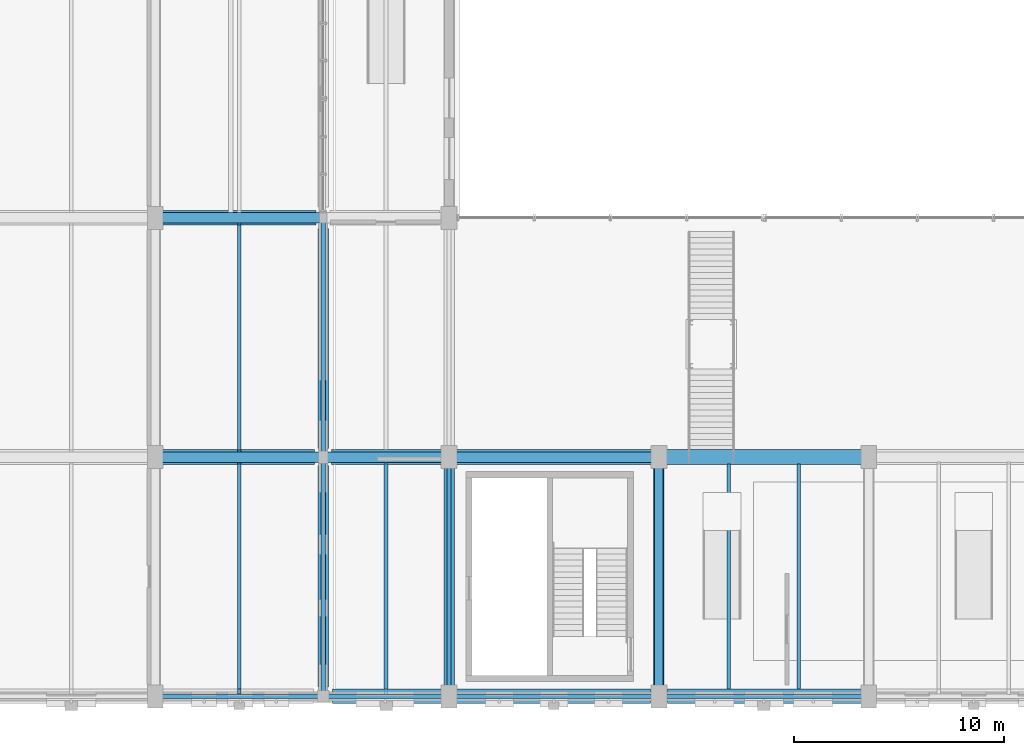
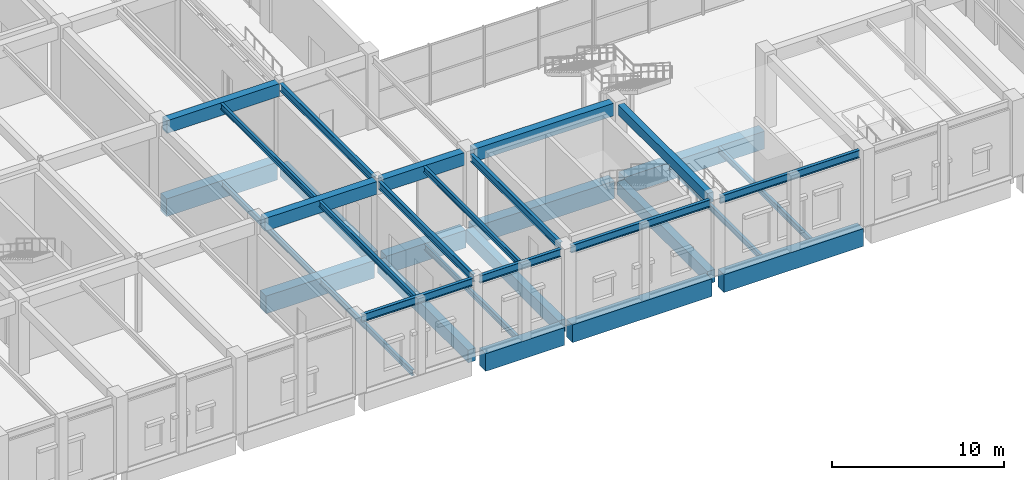
# One storey, part 24 of 113: 32 beams.
"""IFC4 building model written with IfcOpenShell, lengths in metres."""

from ifc_helpers import new_model, si_unit, direction, frame, origin, origin_2d, place, context, subcontext, project, spatial, rectangle, i_section, extrude, material, material_profile, profile_set, type_object, element, save


model = new_model("IFC4")

# Units and contexts
model_context = context("Model", 3, precision=1e-05, world=origin(), true_north=direction((0.0, 1.0)))
body_context = subcontext(model_context, "Body", "Model", "MODEL_VIEW")
ifc_project = project(units=[si_unit("LENGTHUNIT", "METRE"), si_unit("AREAUNIT", "SQUARE_METRE"), si_unit("VOLUMEUNIT", "CUBIC_METRE"), si_unit("PLANEANGLEUNIT", "RADIAN"), si_unit("MASSUNIT", "GRAM", prefix="KILO"), si_unit("POWERUNIT", "WATT"), si_unit("THERMODYNAMICTEMPERATUREUNIT", "KELVIN")], contexts=[model_context])

# Site, building, storey
site_placement = place(None, origin())
site = spatial("IfcSite", under=ifc_project, at=site_placement, CompositionType="ELEMENT")
building_placement = place(site_placement, origin())
building = spatial("IfcBuilding", under=site, at=building_placement, Name="Kelmbourne Parkland Aquatics Centre", CompositionType="ELEMENT")
storey_placement = place(building_placement, origin())
storey = spatial("IfcBuildingStorey", under=building, at=storey_placement, Name="L00", CompositionType="ELEMENT", Elevation=0.0)

# Beams
ifc_material_1 = material(Name="Concrete C40/50", Category="concrete")
ifc_material_profile_1 = material_profile(ifc_material_1, rectangle(XDim=0.5, YDim=0.89990234375, at=origin_2d()), Name="RC 500x900")
ifc_profile_set_1 = profile_set([ifc_material_profile_1], Name="Concrete C40/50")
beam_type_1 = type_object("IfcBeamType", Name="BM-G03", PredefinedType="BEAM", material=ifc_profile_set_1)
beam_1_placement = place(storey_placement, frame((40.0, 1.2548828125, -0.72998046875), z_axis=(0.0, 1.0, 0.0), x_axis=(-1.0, 0.0, 0.0)))
element("IfcBeam", 1, at=beam_1_placement, inside=storey, type_object=beam_type_1, Name="Primary girder 01-03 Grid F (L00)", PredefinedType="BEAM", context=body_context, shape_type="SweptSolid", body=[
    extrude(rectangle(XDim=0.5, YDim=0.89990234375, at=origin_2d()), origin(), (0.0, 0.0, 1.0), 10.5400390625),
])
beam_2_placement = place(storey_placement, frame((40.0, 12.60498046875, -0.72998046875), z_axis=(0.0, 1.0, 0.0), x_axis=(-1.0, 0.0, 0.0)))
element("IfcBeam", 2, at=beam_2_placement, inside=storey, type_object=beam_type_1, Name="Primary girder 03-04 Grid F (L00)", PredefinedType="BEAM", context=body_context, shape_type="SweptSolid", body=[
    extrude(rectangle(XDim=0.5, YDim=0.89990234375, at=origin_2d()), origin(), (0.0, 0.0, 1.0), 10.489990234375),
])
beam_3_placement = place(storey_placement, frame((46.0, 1.205078125, -0.72998046875), z_axis=(0.0, 1.0, 0.0), x_axis=(-1.0, 0.0, 0.0)))
element("IfcBeam", 3, at=beam_3_placement, inside=storey, type_object=beam_type_1, Name="Primary girder 01-03 Grid G (L00)", PredefinedType="BEAM", context=body_context, shape_type="SweptSolid", body=[
    extrude(rectangle(XDim=0.5, YDim=0.89990234375, at=origin_2d()), origin(), (0.0, 0.0, 1.0), 10.71484375),
])
beam_4_placement = place(storey_placement, frame((56.0, 1.205078125, -0.72998046875), z_axis=(0.0, 1.0, 0.0), x_axis=(-1.0, 0.0, 0.0)))
element("IfcBeam", 4, at=beam_4_placement, inside=storey, type_object=beam_type_1, Name="Primary girder 01-03 Grid H (L00)", PredefinedType="BEAM", context=body_context, shape_type="SweptSolid", body=[
    extrude(rectangle(XDim=0.5, YDim=0.89990234375, at=origin_2d()), origin(), (0.0, 0.0, 1.0), 10.489990234375),
])
beam_5_placement = place(storey_placement, frame((32.330078125, 12.199951171875, 4.7099609375), z_axis=(1.0, 0.0, 0.0), x_axis=(0.0, 1.0, 0.0)))
element("IfcBeam", 5, at=beam_5_placement, inside=storey, type_object=beam_type_1, Name="Primary girder E-F Grid 03 (L01)", PredefinedType="BEAM", context=body_context, shape_type="SweptSolid", body=[
    extrude(rectangle(XDim=0.5, YDim=0.89990234375, at=origin_2d()), origin(), (0.0, 0.0, 1.0), 7.489990234375),
])
beam_6_placement = place(storey_placement, frame((40.179931640625, 12.199951171875, 4.7099609375), z_axis=(1.0, 0.0, 0.0), x_axis=(0.0, 1.0, 0.0)))
element("IfcBeam", 6, at=beam_6_placement, inside=storey, type_object=beam_type_1, Name="Primary girder F-G Grid 03 (L01)", PredefinedType="BEAM", context=body_context, shape_type="SweptSolid", body=[
    extrude(rectangle(XDim=0.5, YDim=0.89990234375, at=origin_2d()), origin(), (0.0, 0.0, 1.0), 5.489990234375),
])
beam_7_placement = place(storey_placement, frame((46.330078125, 12.199951171875, 4.7099609375), z_axis=(1.0, 0.0, 0.0), x_axis=(0.0, 1.0, 0.0)))
element("IfcBeam", 7, at=beam_7_placement, inside=storey, type_object=beam_type_1, Name="Primary girder G-H Grid 03 (L01)", PredefinedType="BEAM", context=body_context, shape_type="SweptSolid", body=[
    extrude(rectangle(XDim=0.5, YDim=0.89990234375, at=origin_2d()), origin(), (0.0, 0.0, 1.0), 9.33984375),
])
beam_8_placement = place(storey_placement, frame((32.330078125, 23.60009765625, 4.7099609375), z_axis=(1.0, 0.0, 0.0), x_axis=(0.0, 1.0, 0.0)))
element("IfcBeam", 8, at=beam_8_placement, inside=storey, type_object=beam_type_1, Name="Primary girder E-F Grid 04 (L01)", PredefinedType="BEAM", context=body_context, shape_type="SweptSolid", body=[
    extrude(rectangle(XDim=0.5, YDim=0.89990234375, at=origin_2d()), origin(), (0.0, 0.0, 1.0), 7.5400390625),
])
ifc_material_profile_2 = material_profile(ifc_material_1, rectangle(XDim=0.39990234375, YDim=0.699951171875, at=origin_2d()), Name="RC 400x700")
ifc_profile_set_2 = profile_set([ifc_material_profile_2], Name="Concrete C40/50")
beam_type_2 = type_object("IfcBeamType", Name="BM-G05", PredefinedType="BEAM", material=ifc_profile_set_2)
beam_9_placement = place(storey_placement, frame((56.0, 1.304931640625, 4.81005859375), z_axis=(0.0, 1.0, 0.0), x_axis=(-1.0, 0.0, 0.0)))
element("IfcBeam", 9, at=beam_9_placement, inside=storey, type_object=beam_type_2, Name="Primary girder 01-03 Grid H (L01)", PredefinedType="BEAM", context=body_context, shape_type="SweptSolid", body=[
    extrude(rectangle(XDim=0.39990234375, YDim=0.699951171875, at=origin_2d()), origin(), (0.0, 0.0, 1.0), 10.39013671875),
])
ifc_material_2 = material(Name="Concrete C50/60", Category="concrete")
ifc_material_profile_3 = material_profile(ifc_material_2, rectangle(XDim=0.699951171875, YDim=1.25, at=origin_2d()), Name="RC 700x1250")
ifc_profile_set_3 = profile_set([ifc_material_profile_3], Name="Concrete C50/60")
beam_type_3 = type_object("IfcBeamType", Name="BM-G08", PredefinedType="BEAM", material=ifc_profile_set_3)
beam_10_placement = place(storey_placement, frame((40.455078125, 0.800048828125, -0.905029296875), z_axis=(1.0, 0.0, 0.0), x_axis=(0.0, 1.0, 0.0)))
element("IfcBeam", 10, at=beam_10_placement, inside=storey, type_object=beam_type_3, Name="Primary girder F-G Grid 01 (L00)", PredefinedType="BEAM", context=body_context, shape_type="SweptSolid", body=[
    extrude(rectangle(XDim=0.699951171875, YDim=1.25, at=origin_2d()), origin(), (0.0, 0.0, 1.0), 5.2900390625),
])
for number, where, z_axis, x_axis, name in (
    (11, (46.2548828125, 0.800048828125, -0.905029296875), (1.0, 0.0, 0.0), (0.0, 1.0, 0.0), "Primary girder G-H Grid 01 (L00)"),
    (12, (56.405029296875, 0.800048828125, -0.905029296875), (1.0, 0.0, 0.0), (0.0, 1.0, 0.0), "Primary girder H-I Grid 01 (L00)"),
):
    element("IfcBeam", number, at=place(storey_placement, frame(where, z_axis=z_axis, x_axis=x_axis)), inside=storey, type_object=beam_type_3, Name=name, PredefinedType="BEAM", context=body_context, shape_type="SweptSolid", body=[
        extrude(rectangle(XDim=0.699951171875, YDim=1.25, at=origin_2d()), origin(), (0.0, 0.0, 1.0), 9.340087890625),
    ])
beam_11_placement = place(storey_placement, frame((32.330078125, 12.199951171875, -0.905029296875), z_axis=(1.0, 0.0, 0.0), x_axis=(0.0, 1.0, 0.0)))
element("IfcBeam", 13, at=beam_11_placement, inside=storey, type_object=beam_type_3, Name="Primary girder E-F Grid 03 (L00)", PredefinedType="BEAM", context=body_context, shape_type="SweptSolid", body=[
    extrude(rectangle(XDim=0.699951171875, YDim=1.25, at=origin_2d()), origin(), (0.0, 0.0, 1.0), 7.264892578125),
])
beam_12_placement = place(storey_placement, frame((40.405029296875, 12.199951171875, -0.905029296875), z_axis=(1.0, 0.0, 0.0), x_axis=(0.0, 1.0, 0.0)))
element("IfcBeam", 14, at=beam_12_placement, inside=storey, type_object=beam_type_3, Name="Primary girder F-G Grid 03 (L00)", PredefinedType="BEAM", context=body_context, shape_type="SweptSolid", body=[
    extrude(rectangle(XDim=0.699951171875, YDim=1.25, at=origin_2d()), origin(), (0.0, 0.0, 1.0), 5.31494140625),
])
for number, where, z_axis, x_axis, name in (
    (15, (46.280029296875, 12.199951171875, -0.905029296875), (1.0, 0.0, 0.0), (0.0, 1.0, 0.0), "Primary girder G-H Grid 03 (L00)"),
    (16, (56.330078125, 12.199951171875, -0.905029296875), (1.0, 0.0, 0.0), (0.0, 1.0, 0.0), "Primary girder H-I Grid 03 (L00)"),
):
    element("IfcBeam", number, at=place(storey_placement, frame(where, z_axis=z_axis, x_axis=x_axis)), inside=storey, type_object=beam_type_3, Name=name, PredefinedType="BEAM", context=body_context, shape_type="SweptSolid", body=[
        extrude(rectangle(XDim=0.699951171875, YDim=1.25, at=origin_2d()), origin(), (0.0, 0.0, 1.0), 9.389892578125),
    ])
beam_13_placement = place(storey_placement, frame((32.2548828125, 23.60009765625, -0.905029296875), z_axis=(1.0, 0.0, 0.0), x_axis=(0.0, 1.0, 0.0)))
element("IfcBeam", 17, at=beam_13_placement, inside=storey, type_object=beam_type_3, Name="Primary girder E-F Grid 04 (L00)", PredefinedType="BEAM", context=body_context, shape_type="SweptSolid", body=[
    extrude(rectangle(XDim=0.699951171875, YDim=1.25, at=origin_2d()), origin(), (0.0, 0.0, 1.0), 7.4150390625),
])
ifc_material_3 = material(Name="Structural steel AS/NZS 3679.1 Grade 300", Category="steel")
ifc_material_profile_4 = material_profile(ifc_material_3, i_section(OverallWidth=0.177978515625, OverallDepth=0.406005859375, WebThickness=0.0078125, FlangeThickness=0.0126953125, at=origin_2d()), Name="410UB59.7")
ifc_profile_set_4 = profile_set([ifc_material_profile_4], Name="Structural steel AS/NZS 3679.1 Grade 300")
beam_type_4 = type_object("IfcBeamType", Name="BM-J01", PredefinedType="JOIST", material=ifc_profile_set_4)
beam_14_placement = place(storey_placement, frame((36.0, 1.14208984375, -0.48291015625), z_axis=(0.0, 1.0, 0.0), x_axis=(-1.0, 0.0, 0.0)))
element("IfcBeam", 18, at=beam_14_placement, inside=storey, type_object=beam_type_4, Name="Secondary floor joist E-F/01-03 #1 (L00)", PredefinedType="JOIST", context=body_context, shape_type="SweptSolid", body=[
    extrude(i_section(OverallWidth=0.177978515625, OverallDepth=0.406005859375, WebThickness=0.0078125, FlangeThickness=0.0126953125, at=origin_2d()), origin(), (0.0, 0.0, 1.0), 10.7158203125),
])
beam_15_placement = place(storey_placement, frame((36.0, 12.5419921875, -0.48291015625), z_axis=(0.0, 1.0, 0.0), x_axis=(-1.0, 0.0, 0.0)))
element("IfcBeam", 19, at=beam_15_placement, inside=storey, type_object=beam_type_4, Name="Secondary floor joist E-F/03-04 #1 (L00)", PredefinedType="JOIST", context=body_context, shape_type="SweptSolid", body=[
    extrude(i_section(OverallWidth=0.177978515625, OverallDepth=0.406005859375, WebThickness=0.0078125, FlangeThickness=0.0126953125, at=origin_2d()), origin(), (0.0, 0.0, 1.0), 10.716064453125),
])
for number, where, z_axis, x_axis, name in (
    (20, (43.0, 1.14208984375, -0.48291015625), (0.0, 1.0, 0.0), (-1.0, 0.0, 0.0), "Secondary floor joist F-G/01-03 #1 (L00)"),
    (21, (59.333251953125, 1.14208984375, -0.48291015625), (0.0, 1.0, 0.0), (-1.0, 0.0, 0.0), "Secondary floor joist H-I/01-03 #1 (L00)"),
    (22, (62.666748046875, 1.14208984375, -0.48291015625), (0.0, 1.0, 0.0), (-1.0, 0.0, 0.0), "Secondary floor joist H-I/01-03 #2 (L00)"),
):
    element("IfcBeam", number, at=place(storey_placement, frame(where, z_axis=z_axis, x_axis=x_axis)), inside=storey, type_object=beam_type_4, Name=name, PredefinedType="JOIST", context=body_context, shape_type="SweptSolid", body=[
        extrude(i_section(OverallWidth=0.177978515625, OverallDepth=0.406005859375, WebThickness=0.0078125, FlangeThickness=0.0126953125, at=origin_2d()), origin(), (0.0, 0.0, 1.0), 10.7158203125),
    ])
beam_16_placement = place(storey_placement, frame((36.0, 0.896484375, 4.95703125), z_axis=(0.0, 1.0, 0.0), x_axis=(-1.0, 0.0, 0.0)))
element("IfcBeam", 23, at=beam_16_placement, inside=storey, type_object=beam_type_4, Name="Secondary floor joist E-F/01-03 #1 (L01)", PredefinedType="JOIST", context=body_context, shape_type="SweptSolid", body=[
    extrude(i_section(OverallWidth=0.177978515625, OverallDepth=0.406005859375, WebThickness=0.0078125, FlangeThickness=0.0126953125, at=origin_2d()), origin(), (0.0, 0.0, 1.0), 11.0615234375),
])
beam_17_placement = place(storey_placement, frame((36.0, 12.44189453125, 4.95703125), z_axis=(0.0, 1.0, 0.0), x_axis=(-1.0, 0.0, 0.0)))
element("IfcBeam", 24, at=beam_17_placement, inside=storey, type_object=beam_type_4, Name="Secondary floor joist E-F/03-04 #1 (L01)", PredefinedType="JOIST", context=body_context, shape_type="SweptSolid", body=[
    extrude(i_section(OverallWidth=0.177978515625, OverallDepth=0.406005859375, WebThickness=0.0078125, FlangeThickness=0.0126953125, at=origin_2d()), origin(), (0.0, 0.0, 1.0), 10.916015625),
])
beam_18_placement = place(storey_placement, frame((43.0, 0.896484375, 4.95703125), z_axis=(0.0, 1.0, 0.0), x_axis=(-1.0, 0.0, 0.0)))
element("IfcBeam", 25, at=beam_18_placement, inside=storey, type_object=beam_type_4, Name="Secondary floor joist F-G/01-03 #1 (L01)", PredefinedType="JOIST", context=body_context, shape_type="SweptSolid", body=[
    extrude(i_section(OverallWidth=0.177978515625, OverallDepth=0.406005859375, WebThickness=0.0078125, FlangeThickness=0.0126953125, at=origin_2d()), origin(), (0.0, 0.0, 1.0), 11.0615234375),
])
ifc_material_profile_5 = material_profile(ifc_material_3, i_section(OverallWidth=0.208984375, OverallDepth=0.532958984375, WebThickness=0.01025390625, FlangeThickness=0.015625, at=origin_2d()), Name="530UB92.4")
ifc_profile_set_5 = profile_set([ifc_material_profile_5], Name="Structural steel AS/NZS 3679.1 Grade 300")
beam_type_5 = type_object("IfcBeamType", Name="BM-SP02", PredefinedType="SPANDREL", material=ifc_profile_set_5)
beam_19_placement = place(storey_placement, frame((32.330078125, 0.800048828125, 4.8935546875), z_axis=(1.0, 0.0, 0.0), x_axis=(0.0, 1.0, 0.0)))
element("IfcBeam", 26, at=beam_19_placement, inside=storey, type_object=beam_type_5, Name="Perimeter spandrel E-F Grid 01 (L01)", PredefinedType="SPANDREL", context=body_context, shape_type="SweptSolid", body=[
    extrude(i_section(OverallWidth=0.208984375, OverallDepth=0.532958984375, WebThickness=0.01025390625, FlangeThickness=0.015625, at=origin_2d()), origin(), (0.0, 0.0, 1.0), 7.43994140625),
])
beam_20_placement = place(storey_placement, frame((40.22998046875, 0.800048828125, 4.8935546875), z_axis=(1.0, 0.0, 0.0), x_axis=(0.0, 1.0, 0.0)))
element("IfcBeam", 27, at=beam_20_placement, inside=storey, type_object=beam_type_5, Name="Perimeter spandrel F-G Grid 01 (L01)", PredefinedType="SPANDREL", context=body_context, shape_type="SweptSolid", body=[
    extrude(i_section(OverallWidth=0.208984375, OverallDepth=0.532958984375, WebThickness=0.01025390625, FlangeThickness=0.015625, at=origin_2d()), origin(), (0.0, 0.0, 1.0), 5.43994140625),
])
for number, where, z_axis, x_axis, name in (
    (28, (46.330078125, 0.800048828125, 4.8935546875), (1.0, 0.0, 0.0), (0.0, 1.0, 0.0), "Perimeter spandrel G-H Grid 01 (L01)"),
    (29, (56.330078125, 0.800048828125, 4.8935546875), (1.0, 0.0, 0.0), (0.0, 1.0, 0.0), "Perimeter spandrel H-I Grid 01 (L01)"),
):
    element("IfcBeam", number, at=place(storey_placement, frame(where, z_axis=z_axis, x_axis=x_axis)), inside=storey, type_object=beam_type_5, Name=name, PredefinedType="SPANDREL", context=body_context, shape_type="SweptSolid", body=[
        extrude(i_section(OverallWidth=0.208984375, OverallDepth=0.532958984375, WebThickness=0.01025390625, FlangeThickness=0.015625, at=origin_2d()), origin(), (0.0, 0.0, 1.0), 9.33984375),
    ])
beam_21_placement = place(storey_placement, frame((40.0, 1.030029296875, 4.8935546875), z_axis=(0.0, 1.0, 0.0), x_axis=(-1.0, 0.0, 0.0)))
element("IfcBeam", 30, at=beam_21_placement, inside=storey, type_object=beam_type_5, Name="Perimeter spandrel 01-03 Grid F (L01)", PredefinedType="SPANDREL", context=body_context, shape_type="SweptSolid", body=[
    extrude(i_section(OverallWidth=0.208984375, OverallDepth=0.532958984375, WebThickness=0.01025390625, FlangeThickness=0.015625, at=origin_2d()), origin(), (0.0, 0.0, 1.0), 10.9150390625),
])
beam_22_placement = place(storey_placement, frame((40.0, 12.455078125, 4.8935546875), z_axis=(0.0, 1.0, 0.0), x_axis=(-1.0, 0.0, 0.0)))
element("IfcBeam", 31, at=beam_22_placement, inside=storey, type_object=beam_type_5, Name="Perimeter spandrel 03-04 Grid F (L01)", PredefinedType="SPANDREL", context=body_context, shape_type="SweptSolid", body=[
    extrude(i_section(OverallWidth=0.208984375, OverallDepth=0.532958984375, WebThickness=0.01025390625, FlangeThickness=0.015625, at=origin_2d()), origin(), (0.0, 0.0, 1.0), 10.93994140625),
])
beam_23_placement = place(storey_placement, frame((46.0, 1.304931640625, 4.8935546875), z_axis=(0.0, 1.0, 0.0), x_axis=(-1.0, 0.0, 0.0)))
element("IfcBeam", 32, at=beam_23_placement, inside=storey, type_object=beam_type_5, Name="Perimeter spandrel 01-03 Grid G (L01)", PredefinedType="SPANDREL", context=body_context, shape_type="SweptSolid", body=[
    extrude(i_section(OverallWidth=0.208984375, OverallDepth=0.532958984375, WebThickness=0.01025390625, FlangeThickness=0.015625, at=origin_2d()), origin(), (0.0, 0.0, 1.0), 10.39013671875),
])

save(model, "model.ifc")
